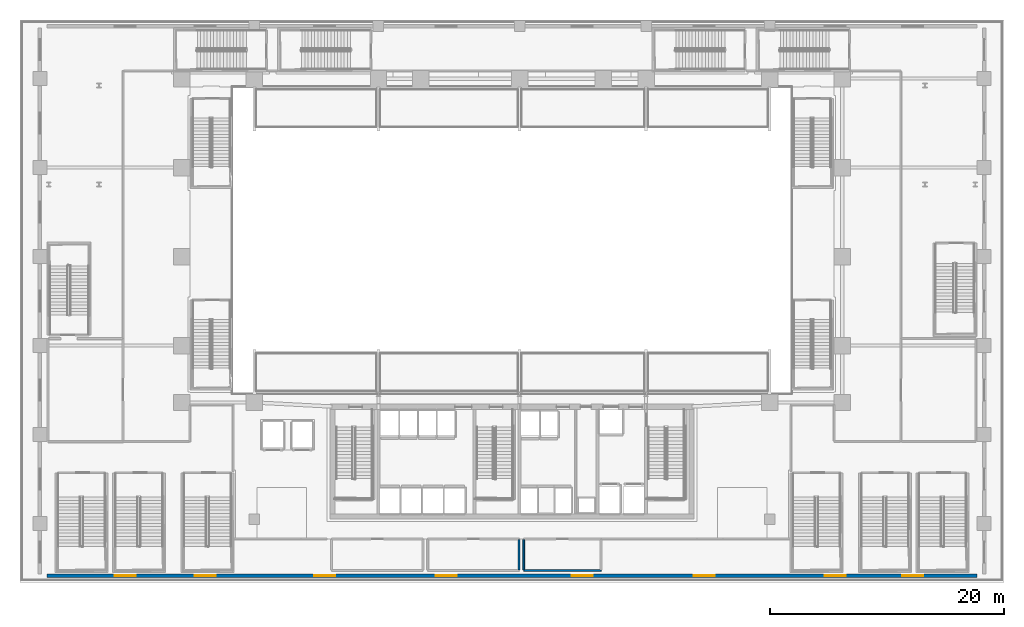
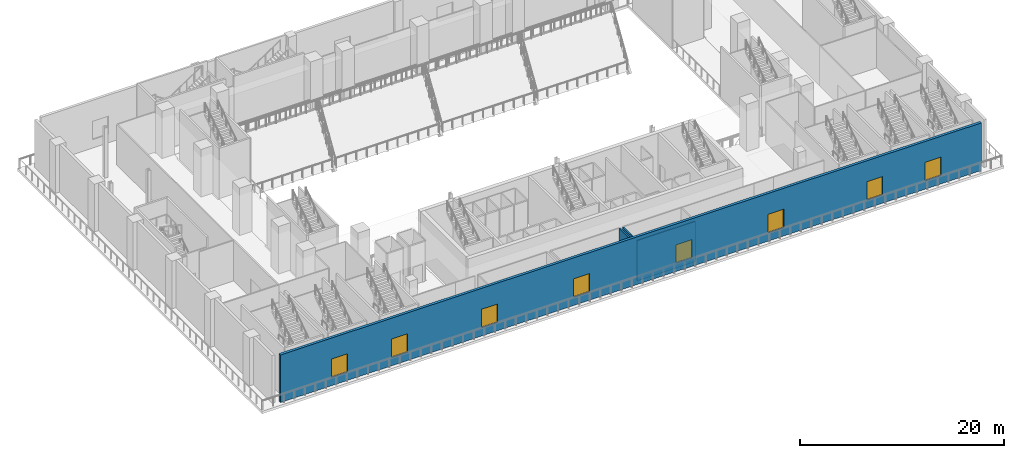
# One storey, part 8 of 30: 8 windows, 4 walls, 8 openings.
"""IFC4 building model written with IfcOpenShell, lengths in metres."""

import ifcopenshell
import ifcopenshell.guid

model = None  # the IFC model being written
_history = None  # IfcOwnerHistory: only IFC2X3 demands one
_inside = {}  # id of a spatial element -> (the spatial element, [elements in it])
_under = {}  # id of a project, library or spatial element -> (it, [spatial elements below it])
_declared = {}  # id of a project -> (the project, [libraries it declares])
_typed = {}  # id of a type object -> (the type object, [elements of that type])
_made_of = {}  # id of a material, layer set ... -> (it, [elements and type objects made of it])


def new_model(schema):
    """Start an empty IFC model of exactly this schema.

    Asked for "IFC4X3", IfcOpenShell would pick the latest addendum, in which some entities
    have other attributes; the version numbers below select the first issue.
    IFC2X3 requires an IfcOwnerHistory on every rooted entity: one is made here for all.
    """
    global model, _history
    if schema == "IFC4X3":
        model = ifcopenshell.file(schema_version=(4, 3, 0, 0))
    else:
        model = ifcopenshell.file(schema=schema)
    _inside.clear()
    _under.clear()
    _declared.clear()
    _typed.clear()
    _made_of.clear()
    _history = None
    if model.schema == "IFC2X3":
        org = make("IfcOrganization", Name="unknown")
        user = make(
            "IfcPersonAndOrganization",
            ThePerson=make("IfcPerson", FamilyName="unknown"),
            TheOrganization=org,
        )
        app = make(
            "IfcApplication",
            ApplicationDeveloper=org,
            Version="unknown",
            ApplicationFullName="unknown",
            ApplicationIdentifier="unknown",
        )
        _history = make(
            "IfcOwnerHistory",
            OwningUser=user,
            OwningApplication=app,
            ChangeAction="ADDED",
            CreationDate=0,
        )
    return model


def make(cls, **values):
    """One entity of the class cls with the attributes given. An attribute that is None is left unset."""
    return model.create_entity(
        cls, **{name: value for name, value in values.items() if value is not None}
    )


def rooted(cls, **values):
    """An entity with a GlobalId (a new one), such as an element, a storey or a relation."""
    return make(cls, GlobalId=ifcopenshell.guid.new(), OwnerHistory=_history, **values)


def si_unit(unit_type, name, prefix=None):
    """IfcSIUnit, for example si_unit("LENGTHUNIT", "METRE", prefix="MILLI")."""
    return make("IfcSIUnit", UnitType=unit_type, Prefix=prefix, Name=name)


def assignment(units):
    """IfcUnitAssignment: the units of a project."""
    return None if units is None else make("IfcUnitAssignment", Units=units)


def point(xyz):
    """IfcCartesianPoint."""
    return None if xyz is None else make("IfcCartesianPoint", Coordinates=xyz)


def direction(xyz):
    """IfcDirection."""
    return None if xyz is None else make("IfcDirection", DirectionRatios=xyz)


def frame(location, z_axis=None, x_axis=None):
    """IfcAxis2Placement3D, a coordinate frame: its origin and axes. An axis left out is left unset."""
    return make(
        "IfcAxis2Placement3D",
        Location=point(location),
        Axis=direction(z_axis),
        RefDirection=direction(x_axis),
    )


def frame_2d(location, x_axis=None):
    """IfcAxis2Placement2D, a coordinate frame in the plane: its origin and x axis."""
    return make(
        "IfcAxis2Placement2D", Location=point(location), RefDirection=direction(x_axis)
    )


def origin():
    """The frame at (0, 0, 0) with its axes left unset."""
    return frame((0.0, 0.0, 0.0))


def place(relative_to, where):
    """IfcLocalPlacement: puts the frame where relative to a parent placement (None: the world)."""
    return make(
        "IfcLocalPlacement", PlacementRelTo=relative_to, RelativePlacement=where
    )


def context(
    kind, dimensions, precision=None, world=None, true_north=None, identifier=None
):
    """IfcGeometricRepresentationContext, for example the 3D "Model" context."""
    return make(
        "IfcGeometricRepresentationContext",
        ContextIdentifier=identifier,
        ContextType=kind,
        CoordinateSpaceDimension=dimensions,
        Precision=precision,
        WorldCoordinateSystem=world,
        TrueNorth=true_north,
    )


def subcontext(parent, identifier, kind, view, scale=None):
    """IfcGeometricRepresentationSubContext, for example "Body" below "Model"."""
    return make(
        "IfcGeometricRepresentationSubContext",
        ContextIdentifier=identifier,
        ContextType=kind,
        ParentContext=parent,
        TargetScale=scale,
        TargetView=view,
    )


def project(units=None, contexts=None):
    """IfcProject with its units and contexts."""
    return rooted(
        "IfcProject",
        Name="project",
        RepresentationContexts=contexts,
        UnitsInContext=assignment(units),
    )


def spatial(cls, under=None, at=None, **own):
    """A site, building, storey or space (cls), placed at a placement, below another one or the project."""
    s = rooted(cls, ObjectPlacement=at, **own)
    if under is not None:
        _under.setdefault(under.id(), (under, []))[1].append(s)
    return s


def profile(cls, at=None, kind="AREA", **sizes):
    """A parametric profile (cls). Its sizes go by their IFC names, for example OverallWidth=200.0."""
    return make(cls, ProfileType=kind, Position=at, **sizes)


def rectangle(**sizes):
    """IfcRectangleProfileDef."""
    return profile("IfcRectangleProfileDef", **sizes)


def extrude(swept, where, along, depth):
    """IfcExtrudedAreaSolid: the profile swept, set in the frame where, extruded along a direction by depth."""
    return make(
        "IfcExtrudedAreaSolid",
        SweptArea=swept,
        Position=where,
        ExtrudedDirection=direction(along),
        Depth=depth,
    )


def shape(context_of_items, identifier, shape_type, items):
    """IfcShapeRepresentation: the items that make up one representation, for example the "Body"."""
    return make(
        "IfcShapeRepresentation",
        ContextOfItems=context_of_items,
        RepresentationIdentifier=identifier,
        RepresentationType=shape_type,
        Items=items,
    )


def material(Name=None, Category=None):
    """IfcMaterial."""
    return make("IfcMaterial", Name=Name, Category=Category)


def layer(
    of_material, thickness, ventilated=None, Name=None, Category=None, Priority=None
):
    """IfcMaterialLayer: one layer of a wall or slab, of a material (None: an air gap)."""
    return make(
        "IfcMaterialLayer",
        Material=of_material,
        LayerThickness=thickness,
        IsVentilated=ventilated,
        Name=Name,
        Category=Category,
        Priority=Priority,
    )


def layer_set(layers, Name=None):
    """IfcMaterialLayerSet."""
    return make("IfcMaterialLayerSet", MaterialLayers=layers, LayerSetName=Name)


def made_of(thing, what):
    """Note that an element or type object is made of a material, layer set ...; save() writes the relation."""
    if what is not None:
        _made_of.setdefault(what.id(), (what, []))[1].append(thing)
    return thing


def type_object(cls, material=None, **own):
    """A type object (cls), such as IfcWallType, which elements share."""
    return made_of(rooted(cls, **own), material)


def element(
    cls,
    number,
    at=None,
    inside=None,
    cuts=None,
    type_object=None,
    material=None,
    context=None,
    identifier="Body",
    shape_type=None,
    held_by="IfcProductDefinitionShape",
    body=None,
    shapes=None,
    **own,
):
    """One element of the class cls, such as IfcWall. Its Tag is "e" and its number.

    at: its placement. inside: the storey or other place that contains it. cuts: it is an
    opening in that element (IfcRelVoidsElement). A single representation is given by context,
    identifier, shape_type and body (its items); several are given by shapes. held_by: the class
    of the entity that holds the representations. save() writes the other relations.
    """
    e = rooted(cls, Tag="e%d" % number, ObjectPlacement=at, **own)
    if body is not None:
        shapes = [shape(context, identifier, shape_type, body)]
    if shapes is not None:
        e.Representation = make(held_by, Representations=shapes)
    if inside is not None:
        _inside.setdefault(inside.id(), (inside, []))[1].append(e)
    if cuts is not None:
        rooted(
            "IfcRelVoidsElement", RelatingBuildingElement=cuts, RelatedOpeningElement=e
        )
    if type_object is not None:
        _typed.setdefault(type_object.id(), (type_object, []))[1].append(e)
    return made_of(e, material)


def fill(opening, filler):
    """IfcRelFillsElement: the door or window that sits in an opening."""
    return rooted(
        "IfcRelFillsElement",
        RelatingOpeningElement=opening,
        RelatedBuildingElement=filler,
    )


def aggregate(whole, parts):
    """IfcRelAggregates: a whole, such as a stair, and the parts it consists of."""
    return rooted("IfcRelAggregates", RelatingObject=whole, RelatedObjects=parts)


def save(model, path):
    """Write the relations noted so far, then the file.

    IfcRelAggregates (storeys below a building ...), IfcRelContainedInSpatialStructure (elements
    in a storey), IfcRelDefinesByType, IfcRelAssociatesMaterial and IfcRelDeclares: one each for
    every whole, place, type object, material and project.
    """
    for whole, parts in _under.values():
        aggregate(whole, parts)
    for where, things in _inside.values():
        rooted(
            "IfcRelContainedInSpatialStructure",
            RelatedElements=things,
            RelatingStructure=where,
        )
    for kind, things in _typed.values():
        rooted("IfcRelDefinesByType", RelatedObjects=things, RelatingType=kind)
    for what, things in _made_of.values():
        rooted("IfcRelAssociatesMaterial", RelatedObjects=things, RelatingMaterial=what)
    for by, libraries in _declared.values():
        rooted("IfcRelDeclares", RelatingContext=by, RelatedDefinitions=libraries)
    model.write(path)


model = new_model("IFC4")

# Units and contexts
model_context = context("Model", 3, precision=1e-05, world=origin(), true_north=direction((0.0, 1.0)))
body_context = subcontext(model_context, "Body", "Model", "MODEL_VIEW")
ifc_project = project(units=[si_unit("LENGTHUNIT", "METRE"), si_unit("AREAUNIT", "SQUARE_METRE"), si_unit("VOLUMEUNIT", "CUBIC_METRE"), si_unit("PLANEANGLEUNIT", "RADIAN"), si_unit("MASSUNIT", "GRAM", prefix="KILO")], contexts=[model_context])

# Site, building, storey
site_placement = place(None, origin())
site = spatial("IfcSite", under=ifc_project, at=site_placement, CompositionType="ELEMENT")
building_placement = place(site_placement, origin())
building = spatial("IfcBuilding", under=site, at=building_placement, Name="Ndaravel Arena Tower", CompositionType="ELEMENT")
storey_placement = place(building_placement, frame((0.0, 0.0, 6.0)))
storey = spatial("IfcBuildingStorey", under=building, at=storey_placement, Name="L01", CompositionType="ELEMENT", Elevation=6.0)

# Wall, openings, windows
ifc_material_1 = material(Name="Masonry", Category="masonry")
ifc_layer_1 = layer(ifc_material_1, 0.300048828125)
ifc_layer_set_1 = layer_set([ifc_layer_1], Name="Masonry")
wall_type_1 = type_object("IfcWallType", Name="WALL-POD-MAZERAS-300", PredefinedType="SOLIDWALL", material=ifc_layer_set_1)
wall_1_placement = place(storey_placement, frame((2.300048828125, 0.550048828125, 0.0), z_axis=(0.0, 0.0, 1.0), x_axis=(1.0, 0.0, 0.0)))
wall_1 = element("IfcWall", 1, at=wall_1_placement, inside=storey, type_object=wall_type_1, Name="L01 South Mazeras Facade Wall", PredefinedType="SOLIDWALL", context=body_context, shape_type="SweptSolid", body=[
    extrude(rectangle(XDim=79.39990234375, YDim=0.300048828125, at=frame_2d((39.699951171875, 0.0))), origin(), (0.0, 0.0, 1.0), 5.699951171875),
])
opening_1_placement = place(wall_1_placement, frame((5.800048828125, 0.0, 1.0)))
opening_1 = element("IfcOpeningElement", 2, at=opening_1_placement, cuts=wall_1, Name="Opening W-PD2", PredefinedType="OPENING", context=body_context, shape_type="SweptSolid", body=[
    extrude(rectangle(XDim=1.800048828125, YDim=2.199951171875, at=frame_2d((0.89990234375, 1.10009765625))), frame((0.0, 0.14990234375, 0.0), z_axis=(0.0, -1.0, 0.0), x_axis=(1.0, 0.0, 0.0)), (0.0, 0.0, 1.0), 0.300048828125),
])
opening_2_placement = place(wall_1_placement, frame((12.60009765625, 0.0, 1.0)))
opening_2 = element("IfcOpeningElement", 3, at=opening_2_placement, cuts=wall_1, Name="Opening W-PD2", PredefinedType="OPENING", context=body_context, shape_type="SweptSolid", body=[
    extrude(rectangle(XDim=1.800048828125, YDim=2.199951171875, at=frame_2d((0.89990234375, 1.10009765625))), frame((0.0, 0.14990234375, 0.0), z_axis=(0.0, -1.0, 0.0), x_axis=(1.0, 0.0, 0.0)), (0.0, 0.0, 1.0), 0.300048828125),
])
opening_3_placement = place(wall_1_placement, frame((22.800048828125, 0.0, 1.0)))
opening_3 = element("IfcOpeningElement", 4, at=opening_3_placement, cuts=wall_1, Name="Opening W-PD2", PredefinedType="OPENING", context=body_context, shape_type="SweptSolid", body=[
    extrude(rectangle(XDim=1.800048828125, YDim=2.199951171875, at=frame_2d((0.89990234375, 1.10009765625))), frame((0.0, 0.14990234375, 0.0), z_axis=(0.0, -1.0, 0.0), x_axis=(1.0, 0.0, 0.0)), (0.0, 0.0, 1.0), 0.300048828125),
])
opening_4_placement = place(wall_1_placement, frame((33.199951171875, 0.0, 1.0)))
opening_4 = element("IfcOpeningElement", 5, at=opening_4_placement, cuts=wall_1, Name="Opening W-PD2", PredefinedType="OPENING", context=body_context, shape_type="SweptSolid", body=[
    extrude(rectangle(XDim=1.800048828125, YDim=2.199951171875, at=frame_2d((0.89990234375, 1.10009765625))), frame((0.0, 0.14990234375, 0.0), z_axis=(0.0, -1.0, 0.0), x_axis=(1.0, 0.0, 0.0)), (0.0, 0.0, 1.0), 0.300048828125),
])
opening_5_placement = place(wall_1_placement, frame((44.800048828125, 0.0, 1.0)))
opening_5 = element("IfcOpeningElement", 6, at=opening_5_placement, cuts=wall_1, Name="Opening W-PD2", PredefinedType="OPENING", context=body_context, shape_type="SweptSolid", body=[
    extrude(rectangle(XDim=1.800048828125, YDim=2.199951171875, at=frame_2d((0.89990234375, 1.10009765625))), frame((0.0, 0.14990234375, 0.0), z_axis=(0.0, -1.0, 0.0), x_axis=(1.0, 0.0, 0.0)), (0.0, 0.0, 1.0), 0.300048828125),
])
opening_6_placement = place(wall_1_placement, frame((55.199951171875, 0.0, 1.0)))
opening_6 = element("IfcOpeningElement", 7, at=opening_6_placement, cuts=wall_1, Name="Opening W-PD2", PredefinedType="OPENING", context=body_context, shape_type="SweptSolid", body=[
    extrude(rectangle(XDim=1.800048828125, YDim=2.199951171875, at=frame_2d((0.89990234375, 1.10009765625))), frame((0.0, 0.14990234375, 0.0), z_axis=(0.0, -1.0, 0.0), x_axis=(1.0, 0.0, 0.0)), (0.0, 0.0, 1.0), 0.300048828125),
])
opening_7_placement = place(wall_1_placement, frame((66.39990234375, 0.0, 1.0)))
opening_7 = element("IfcOpeningElement", 8, at=opening_7_placement, cuts=wall_1, Name="Opening W-PD2", PredefinedType="OPENING", context=body_context, shape_type="SweptSolid", body=[
    extrude(rectangle(XDim=1.800048828125, YDim=2.199951171875, at=frame_2d((0.89990234375, 1.10009765625))), frame((0.0, 0.14990234375, 0.0), z_axis=(0.0, -1.0, 0.0), x_axis=(1.0, 0.0, 0.0)), (0.0, 0.0, 1.0), 0.300048828125),
])
opening_8_placement = place(wall_1_placement, frame((73.0, 0.0, 1.0)))
opening_8 = element("IfcOpeningElement", 9, at=opening_8_placement, cuts=wall_1, Name="Opening W-PD2", PredefinedType="OPENING", context=body_context, shape_type="SweptSolid", body=[
    extrude(rectangle(XDim=1.800048828125, YDim=2.199951171875, at=frame_2d((0.89990234375, 1.10009765625))), frame((0.0, 0.14990234375, 0.0), z_axis=(0.0, -1.0, 0.0), x_axis=(1.0, 0.0, 0.0)), (0.0, 0.0, 1.0), 0.300048828125),
])
ifc_material_2 = material(Name="Glazing", Category="glass")
window_type = type_object("IfcWindowType", Name="WIN-POD-1800", PartitioningType="SINGLE_PANEL", PredefinedType="WINDOW", material=ifc_material_2)
window_1_placement = place(opening_1_placement, origin())
window_1 = element("IfcWindow", 10, at=window_1_placement, inside=storey, type_object=window_type, Name="L01 South Ribbon Window 01", OverallHeight=2.199951171875, OverallWidth=1.800048828125, PartitioningType="SINGLE_PANEL", PredefinedType="WINDOW", context=body_context, shape_type="SweptSolid", body=[
    extrude(rectangle(XDim=1.800048828125, YDim=2.199951171875, at=frame_2d((0.89990234375, 1.10009765625))), frame((0.0, 0.030029296875, 0.0), z_axis=(0.0, -1.0, 0.0), x_axis=(1.0, 0.0, 0.0)), (0.0, 0.0, 1.0), 0.06005859375),
])
fill(opening_1, window_1)
window_2_placement = place(opening_2_placement, origin())
window_2 = element("IfcWindow", 11, at=window_2_placement, inside=storey, type_object=window_type, Name="L01 South Ribbon Window 02", OverallHeight=2.199951171875, OverallWidth=1.800048828125, PartitioningType="SINGLE_PANEL", PredefinedType="WINDOW", context=body_context, shape_type="SweptSolid", body=[
    extrude(rectangle(XDim=1.800048828125, YDim=2.199951171875, at=frame_2d((0.89990234375, 1.10009765625))), frame((0.0, 0.030029296875, 0.0), z_axis=(0.0, -1.0, 0.0), x_axis=(1.0, 0.0, 0.0)), (0.0, 0.0, 1.0), 0.06005859375),
])
fill(opening_2, window_2)
window_3_placement = place(opening_3_placement, origin())
window_3 = element("IfcWindow", 12, at=window_3_placement, inside=storey, type_object=window_type, Name="L01 South Ribbon Window 03", OverallHeight=2.199951171875, OverallWidth=1.800048828125, PartitioningType="SINGLE_PANEL", PredefinedType="WINDOW", context=body_context, shape_type="SweptSolid", body=[
    extrude(rectangle(XDim=1.800048828125, YDim=2.199951171875, at=frame_2d((0.89990234375, 1.10009765625))), frame((0.0, 0.030029296875, 0.0), z_axis=(0.0, -1.0, 0.0), x_axis=(1.0, 0.0, 0.0)), (0.0, 0.0, 1.0), 0.06005859375),
])
fill(opening_3, window_3)
window_4_placement = place(opening_4_placement, origin())
window_4 = element("IfcWindow", 13, at=window_4_placement, inside=storey, type_object=window_type, Name="L01 South Ribbon Window 04", OverallHeight=2.199951171875, OverallWidth=1.800048828125, PartitioningType="SINGLE_PANEL", PredefinedType="WINDOW", context=body_context, shape_type="SweptSolid", body=[
    extrude(rectangle(XDim=1.800048828125, YDim=2.199951171875, at=frame_2d((0.89990234375, 1.10009765625))), frame((0.0, 0.030029296875, 0.0), z_axis=(0.0, -1.0, 0.0), x_axis=(1.0, 0.0, 0.0)), (0.0, 0.0, 1.0), 0.06005859375),
])
fill(opening_4, window_4)
window_5_placement = place(opening_5_placement, origin())
window_5 = element("IfcWindow", 14, at=window_5_placement, inside=storey, type_object=window_type, Name="L01 South Ribbon Window 05", OverallHeight=2.199951171875, OverallWidth=1.800048828125, PartitioningType="SINGLE_PANEL", PredefinedType="WINDOW", context=body_context, shape_type="SweptSolid", body=[
    extrude(rectangle(XDim=1.800048828125, YDim=2.199951171875, at=frame_2d((0.89990234375, 1.10009765625))), frame((0.0, 0.030029296875, 0.0), z_axis=(0.0, -1.0, 0.0), x_axis=(1.0, 0.0, 0.0)), (0.0, 0.0, 1.0), 0.06005859375),
])
fill(opening_5, window_5)
window_6_placement = place(opening_6_placement, origin())
window_6 = element("IfcWindow", 15, at=window_6_placement, inside=storey, type_object=window_type, Name="L01 South Ribbon Window 06", OverallHeight=2.199951171875, OverallWidth=1.800048828125, PartitioningType="SINGLE_PANEL", PredefinedType="WINDOW", context=body_context, shape_type="SweptSolid", body=[
    extrude(rectangle(XDim=1.800048828125, YDim=2.199951171875, at=frame_2d((0.89990234375, 1.10009765625))), frame((0.0, 0.030029296875, 0.0), z_axis=(0.0, -1.0, 0.0), x_axis=(1.0, 0.0, 0.0)), (0.0, 0.0, 1.0), 0.06005859375),
])
fill(opening_6, window_6)
window_7_placement = place(opening_7_placement, origin())
window_7 = element("IfcWindow", 16, at=window_7_placement, inside=storey, type_object=window_type, Name="L01 South Ribbon Window 07", OverallHeight=2.199951171875, OverallWidth=1.800048828125, PartitioningType="SINGLE_PANEL", PredefinedType="WINDOW", context=body_context, shape_type="SweptSolid", body=[
    extrude(rectangle(XDim=1.800048828125, YDim=2.199951171875, at=frame_2d((0.89990234375, 1.10009765625))), frame((0.0, 0.030029296875, 0.0), z_axis=(0.0, -1.0, 0.0), x_axis=(1.0, 0.0, 0.0)), (0.0, 0.0, 1.0), 0.06005859375),
])
fill(opening_7, window_7)
window_8_placement = place(opening_8_placement, origin())
window_8 = element("IfcWindow", 17, at=window_8_placement, inside=storey, type_object=window_type, Name="L01 South Ribbon Window 08", OverallHeight=2.199951171875, OverallWidth=1.800048828125, PartitioningType="SINGLE_PANEL", PredefinedType="WINDOW", context=body_context, shape_type="SweptSolid", body=[
    extrude(rectangle(XDim=1.800048828125, YDim=2.199951171875, at=frame_2d((0.89990234375, 1.10009765625))), frame((0.0, 0.030029296875, 0.0), z_axis=(0.0, -1.0, 0.0), x_axis=(1.0, 0.0, 0.0)), (0.0, 0.0, 1.0), 0.06005859375),
])
fill(opening_8, window_8)

# Walls
ifc_material_3 = material(Name="Masonry", Category="masonry")
ifc_layer_2 = layer(ifc_material_3, 0.14990234375)
ifc_layer_set_2 = layer_set([ifc_layer_2], Name="Masonry")
wall_type_2 = type_object("IfcWallType", Name="WALL-WET-150", PredefinedType="PARTITIONING", material=ifc_layer_set_2)
wall_2_placement = place(storey_placement, frame((42.60009765625, 3.635009765625, 0.0), z_axis=(0.0, 0.0, 1.0), x_axis=(0.0, -1.0, 0.0)))
element("IfcWall", 18, at=wall_2_placement, inside=storey, type_object=wall_type_2, Name="L01 Interior Partition 038", PredefinedType="PARTITIONING", context=body_context, shape_type="SweptSolid", body=[
    extrude(rectangle(XDim=2.570068359375, YDim=0.14990234375, at=frame_2d((1.28515625, 0.0))), origin(), (0.0, 0.0, 1.0), 4.819091796875),
])
wall_3_placement = place(storey_placement, frame((49.60009765625, 1.0, 0.0), z_axis=(0.0, 0.0, 1.0), x_axis=(-1.0, 0.0, 0.0)))
element("IfcWall", 19, at=wall_3_placement, inside=storey, type_object=wall_type_2, Name="L01 Interior Partition 039", PredefinedType="PARTITIONING", context=body_context, shape_type="SweptSolid", body=[
    extrude(rectangle(XDim=6.60009765625, YDim=0.14990234375, at=frame_2d((3.300048828125, 0.0))), origin(), (0.0, 0.0, 1.0), 4.819091796875),
])
wall_4_placement = place(storey_placement, frame((43.0, 1.06494140625, 0.0), z_axis=(0.0, 0.0, 1.0), x_axis=(0.0, 1.0, 0.0)))
element("IfcWall", 20, at=wall_4_placement, inside=storey, type_object=wall_type_2, Name="L01 Interior Partition 040", PredefinedType="PARTITIONING", context=body_context, shape_type="SweptSolid", body=[
    extrude(rectangle(XDim=2.570068359375, YDim=0.14990234375, at=frame_2d((1.28515625, 0.0))), origin(), (0.0, 0.0, 1.0), 4.819091796875),
])

save(model, "model.ifc")
